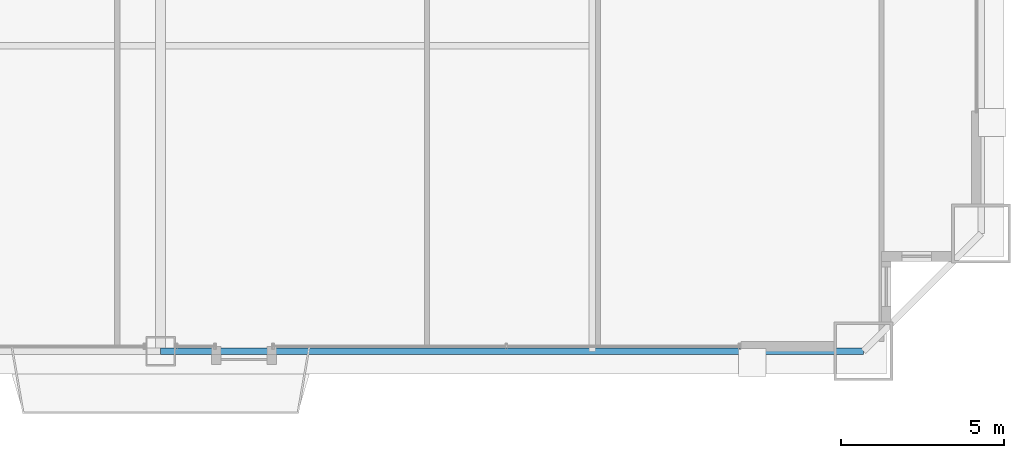
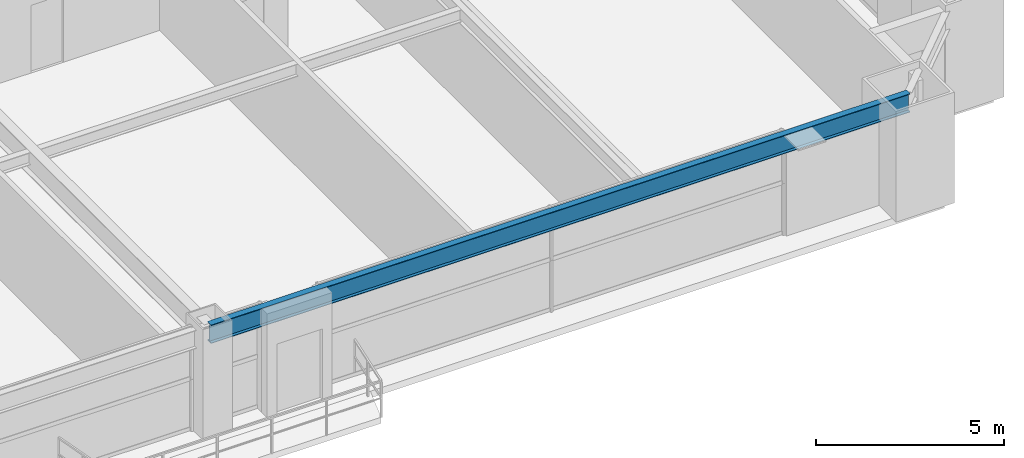
# One storey, part 16 of 46: 1 beam.
"""IFC4 building model written with IfcOpenShell, lengths in metres."""

from ifc_helpers import new_model, si_unit, direction, frame, origin, origin_2d, place, context, subcontext, project, spatial, i_section, extrude, source, transform, mapped, material, material_profile, profile_set, type_object, element, save


model = new_model("IFC4")

# Units and contexts
model_context = context("Model", 3, precision=1e-05, world=origin(), true_north=direction((0.0, 1.0)))
body_context = subcontext(model_context, "Body", "Model", "MODEL_VIEW")
ifc_project = project(units=[si_unit("LENGTHUNIT", "METRE"), si_unit("AREAUNIT", "SQUARE_METRE"), si_unit("VOLUMEUNIT", "CUBIC_METRE"), si_unit("PLANEANGLEUNIT", "RADIAN"), si_unit("MASSUNIT", "GRAM", prefix="KILO"), si_unit("THERMODYNAMICTEMPERATUREUNIT", "KELVIN"), si_unit("POWERUNIT", "WATT")], contexts=[model_context])

# Site, building, storey
site_placement = place(None, origin())
site = spatial("IfcSite", under=ifc_project, at=site_placement, CompositionType="ELEMENT")
building_placement = place(site_placement, origin())
building = spatial("IfcBuilding", under=site, at=building_placement, Name="Yuzanri Waterfront Tower", CompositionType="ELEMENT")
storey_placement = place(building_placement, frame((0.0, 0.0, 56.800048828125)))
storey = spatial("IfcBuildingStorey", under=building, at=storey_placement, Name="L14", CompositionType="ELEMENT", Elevation=56.800048828125)

# Beam
ifc_material = material(Name="Steel Q355B", Category="steel")
ifc_material_profile = material_profile(ifc_material, i_section(OverallWidth=0.199951171875, OverallDepth=0.60009765625, WebThickness=0.010986328125, FlangeThickness=0.01708984375, at=origin_2d()), Name="HN 600x200x11x17")
ifc_profile_set = profile_set([ifc_material_profile], Name="Steel Q355B")
beam_type = type_object("IfcBeamType", Name="Perimeter Spandrel Q355B HN 600x200", PredefinedType="SPANDREL", material=ifc_profile_set)
shared_shape = source(origin(), body_context, "Body", "SweptSolid", [
    extrude(i_section(OverallWidth=0.199951171875, OverallDepth=0.60009765625, WebThickness=0.010986328125, FlangeThickness=0.01708984375, at=origin_2d()), origin(), (0.0, 0.0, 1.0), 21.5),
])
beam_placement = place(storey_placement, frame((37.0, 0.699951171875, 3.079833984375), z_axis=(1.0, 0.0, 0.0), x_axis=(0.0, 1.0, 0.0)))
element("IfcBeam", 1, at=beam_placement, inside=storey, type_object=beam_type, Name="L14 Perimeter Spandrel S2-S3", PredefinedType="SPANDREL", context=body_context, shape_type="MappedRepresentation", body=[
    mapped(shared_shape, transform((0.0, 0.0, 0.0), scale=1.0)),
])

save(model, "model.ifc")
